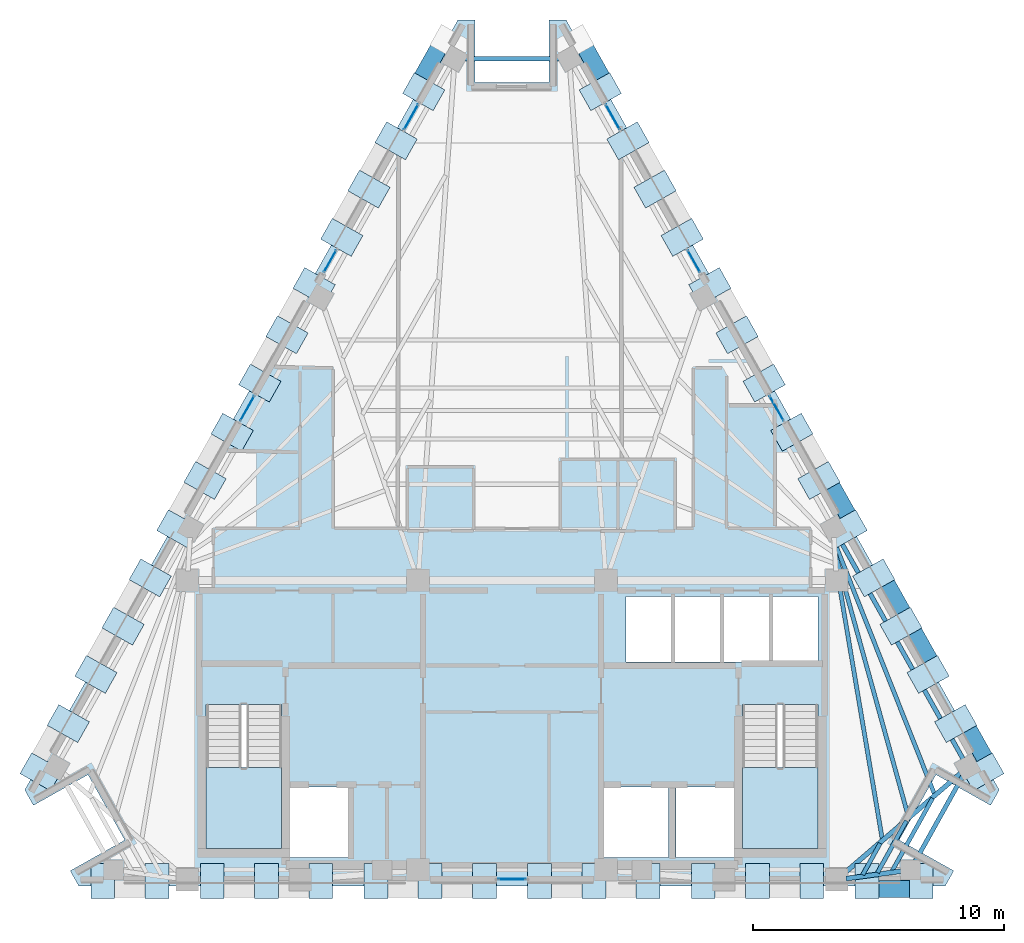
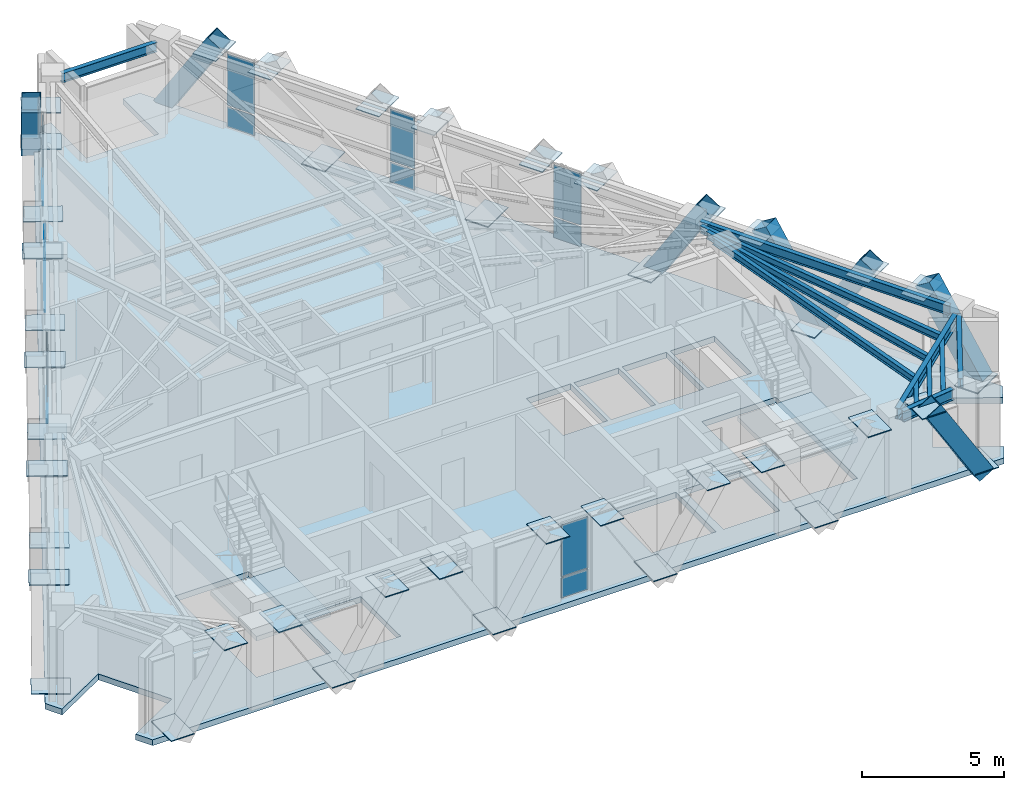
# One storey, part 4 of 9: 60 plates, 11 beams, 7 members, 3 slabs, 9 elements without a shape of their own.
"""IFC4 building model written with IfcOpenShell, lengths in metres."""

from ifc_helpers import new_model, si_unit, direction, frame, origin, origin_2d, place, context, subcontext, project, spatial, polyline, rectangle, hollow_rectangle, i_section, outline, extrude, material, layer, layer_set, material_profile, profile_set, type_object, element, aggregate, save


model = new_model("IFC4")

# Units and contexts
model_context = context("Model", 3, precision=1e-05, world=origin(), true_north=direction((0.0, 1.0)))
body_context = subcontext(model_context, "Body", "Model", "MODEL_VIEW")
ifc_project = project(units=[si_unit("LENGTHUNIT", "METRE"), si_unit("AREAUNIT", "SQUARE_METRE"), si_unit("VOLUMEUNIT", "CUBIC_METRE"), si_unit("PLANEANGLEUNIT", "RADIAN"), si_unit("MASSUNIT", "GRAM", prefix="KILO")], contexts=[model_context])

# Site, building, storey
site_placement = place(None, origin())
site = spatial("IfcSite", under=ifc_project, at=site_placement, CompositionType="ELEMENT")
building_placement = place(site_placement, origin())
building = spatial("IfcBuilding", under=site, at=building_placement, Name="Quenlor Broadcast Tower", CompositionType="ELEMENT")
storey_placement = place(building_placement, frame((0.0, 0.0, 239.39990234375)))
storey = spatial("IfcBuildingStorey", under=building, at=storey_placement, Name="L66", CompositionType="ELEMENT", Elevation=239.39990234375)

# Members
ifc_material_1 = material(Name="Steel S355", Category="steel")
ifc_material_profile_1 = material_profile(ifc_material_1, hollow_rectangle(XDim=0.679931640625, YDim=0.679931640625, WallThickness=0.02001953125, at=origin_2d()))
ifc_profile_set_1 = profile_set([ifc_material_profile_1], Name="Steel S355 RHS680x680x20")
member_type = type_object("IfcMemberType", Name="Perimeter Diagonal Lattice Brace Z5-Crown Steel S355 RHS680x20", PredefinedType="BRACE", material=ifc_profile_set_1)
member_placement = place(storey_placement, frame((16.31689453125, -17.1201171875, -0.119873046875), z_axis=(-0.523616565236, 0.0, 0.85195404372), x_axis=(0.0, -1.0, 0.0)))
element("IfcMember", 1, at=member_placement, inside=storey, type_object=member_type, Name="L66 Perimeter Diamond Lattice S-C1S", PredefinedType="BRACE", context=body_context, shape_type="SweptSolid", body=[
    extrude(hollow_rectangle(XDim=0.679931640625, YDim=0.679931640625, WallThickness=0.02001953125, at=origin_2d()), origin(), (0.0, 0.0, 1.0), 4.108154296875),
])
for number, where, z_axis, x_axis, name in (
    (2, (2.73681640625, 16.779296875, -0.119873046875), (0.260618804175, -0.463276364439, 0.847025884529), (0.8715547569, 0.490298180422, 0.0), "L66 Perimeter Diamond Lattice NE-C1S"),
    (3, (12.5458984375, -0.6591796875, -0.119873046875), (0.260618804175, -0.463276364439, 0.847025884529), (0.8715547569, 0.490298180422, 0.0), "L66 Perimeter Diamond Lattice NE-C4S"),
    (4, (15.802490234375, -6.44873046875, -0.119873046875), (-0.260563732169, 0.463283497491, 0.847038926161), (-0.871602253711, -0.49021374045, 0.0), "L66 Perimeter Diamond Lattice NE-C4B"),
    (5, (15.815673828125, -6.471923828125, -0.119873046875), (0.260618804175, -0.463276364439, 0.847025884529), (0.8715547569, 0.490298180422, 0.0), "L66 Perimeter Diamond Lattice NE-C5S"),
    (6, (19.072265625, -12.261474609375, -0.119873046875), (-0.260563732169, 0.463283497491, 0.847038926161), (-0.871602253711, -0.49021374045, 0.0), "L66 Perimeter Diamond Lattice NE-C5B"),
    (7, (-2.73681640625, 16.779296875, -0.119873046875), (-0.260618804175, -0.463276364439, 0.847025884529), (0.8715547569, -0.490298180422, 0.0), "L66 Perimeter Diamond Lattice NW-C5B"),
):
    element("IfcMember", number, at=place(storey_placement, frame(where, z_axis=z_axis, x_axis=x_axis)), inside=storey, type_object=member_type, Name=name, PredefinedType="BRACE", context=body_context, shape_type="SweptSolid", body=[
        extrude(hollow_rectangle(XDim=0.679931640625, YDim=0.679931640625, WallThickness=0.02001953125, at=origin_2d()), origin(), (0.0, 0.0, 1.0), 4.132080078125),
    ])

# Beams
ifc_material_2 = material(Name="Steel S355", Category="steel")
ifc_material_profile_2 = material_profile(ifc_material_2, i_section(OverallWidth=0.177978515625, OverallDepth=0.406494140625, WebThickness=0.0078125, FlangeThickness=0.0126953125, FilletRadius=0.011474609375, at=origin_2d()))
ifc_profile_set_2 = profile_set([ifc_material_profile_2], Name="Steel S355 410UB59.7")
beam_type_1 = type_object("IfcBeamType", Name="Perimeter Spandrel Beam Z5 Steel S355 410UB59.7", PredefinedType="SPANDREL", material=ifc_profile_set_2)
beam_1_placement = place(storey_placement, frame((16.07275390625, -16.035400390625, 3.046875), z_axis=(0.486800618374, 0.873513112638, 0.0), x_axis=(-0.873513112638, 0.486800618374, 0.0)))
element("IfcBeam", 8, at=beam_1_placement, inside=storey, type_object=beam_type_1, Name="L66 Spandrel Beam S4-NE1", PredefinedType="SPANDREL", context=body_context, shape_type="SweptSolid", body=[
    extrude(i_section(OverallWidth=0.177978515625, OverallDepth=0.406494140625, WebThickness=0.0078125, FlangeThickness=0.0126953125, FilletRadius=0.011474609375, at=origin_2d()), origin(), (0.0, 0.0, 1.0), 3.9736328125),
])
beam_2_placement = place(storey_placement, frame((18.005859375, -11.93603515625, 3.046875), z_axis=(-0.490274867878, 0.871567871096, 0.0), x_axis=(-0.871567871096, -0.490274867878, 0.0)))
element("IfcBeam", 9, at=beam_2_placement, inside=storey, type_object=beam_type_1, Name="L66 Spandrel Beam NE1-NE2", PredefinedType="SPANDREL", context=body_context, shape_type="SweptSolid", body=[
    extrude(i_section(OverallWidth=0.177978515625, OverallDepth=0.406494140625, WebThickness=0.0078125, FlangeThickness=0.0126953125, FilletRadius=0.011474609375, at=origin_2d()), origin(), (0.0, 0.0, 1.0), 10.206298828125),
])
beam_3_placement = place(storey_placement, frame((1.9248046875, 16.012451171875, 3.046875), z_axis=(-1.0, 0.0, 0.0), x_axis=(0.0, -1.0, 0.0)))
element("IfcBeam", 10, at=beam_3_placement, inside=storey, type_object=beam_type_1, Name="L66 Spandrel Beam NE4-NW1", PredefinedType="SPANDREL", context=body_context, shape_type="SweptSolid", body=[
    extrude(i_section(OverallWidth=0.177978515625, OverallDepth=0.406494140625, WebThickness=0.0078125, FlangeThickness=0.0126953125, FilletRadius=0.011474609375, at=origin_2d()), origin(), (0.0, 0.0, 1.0), 3.849609375),
])
ifc_material_3 = material(Name="Steel S355", Category="steel")
ifc_material_profile_3 = material_profile(ifc_material_3, i_section(OverallWidth=0.166015625, OverallDepth=0.30712890625, WebThickness=0.006591796875, FlangeThickness=0.01171875, FilletRadius=0.011474609375, at=origin_2d()))
ifc_profile_set_3 = profile_set([ifc_material_profile_3], Name="Steel S355 310UB46.2")
beam_type_2 = type_object("IfcBeamType", Name="Tower Composite Joist Z4-Z5 Steel S355 310UB46.2", PredefinedType="JOIST", material=ifc_profile_set_3)
beam_4_placement = place(storey_placement, frame((14.76806640625, -15.09619140625, 3.096435546875), z_axis=(-0.166553293246, 0.986032454085, 0.0), x_axis=(-0.986032454085, -0.166553293246, 0.0)))
element("IfcBeam", 11, at=beam_4_placement, inside=storey, type_object=beam_type_2, Name="L66 Secondary Composite Joist 16", PredefinedType="JOIST", context=body_context, shape_type="SweptSolid", body=[
    extrude(i_section(OverallWidth=0.166015625, OverallDepth=0.30712890625, WebThickness=0.006591796875, FlangeThickness=0.01171875, FilletRadius=0.011474609375, at=origin_2d()), origin(), (0.0, 0.0, 1.0), 11.097900390625),
])
beam_5_placement = place(storey_placement, frame((15.806396484375, -14.197998046875, 3.096435546875), z_axis=(-0.26744552871, 0.96357298072, 0.0), x_axis=(-0.96357298072, -0.26744552871, 0.0)))
element("IfcBeam", 12, at=beam_5_placement, inside=storey, type_object=beam_type_2, Name="L66 Secondary Composite Joist 17", PredefinedType="JOIST", context=body_context, shape_type="SweptSolid", body=[
    extrude(i_section(OverallWidth=0.166015625, OverallDepth=0.30712890625, WebThickness=0.006591796875, FlangeThickness=0.01171875, FilletRadius=0.011474609375, at=origin_2d()), origin(), (0.0, 0.0, 1.0), 10.856689453125),
])
beam_6_placement = place(storey_placement, frame((16.8447265625, -13.300537109375, 3.096435546875), z_axis=(-0.368680258049, 0.929556274426, 0.0), x_axis=(-0.929556274426, -0.368680258049, 0.0)))
element("IfcBeam", 13, at=beam_6_placement, inside=storey, type_object=beam_type_2, Name="L66 Secondary Composite Joist 18", PredefinedType="JOIST", context=body_context, shape_type="SweptSolid", body=[
    extrude(i_section(OverallWidth=0.166015625, OverallDepth=0.30712890625, WebThickness=0.006591796875, FlangeThickness=0.01171875, FilletRadius=0.011474609375, at=origin_2d()), origin(), (0.0, 0.0, 1.0), 10.737548828125),
])
beam_7_placement = place(storey_placement, frame((13.9912109375, -16.544189453125, 3.096435546875), z_axis=(0.486624304452, 0.873611347406, 0.0), x_axis=(-0.873611347406, 0.486624304452, 0.0)))
element("IfcBeam", 14, at=beam_7_placement, inside=storey, type_object=beam_type_2, Name="L66 Secondary Composite Joist 22", PredefinedType="JOIST", context=body_context, shape_type="SweptSolid", body=[
    extrude(i_section(OverallWidth=0.166015625, OverallDepth=0.30712890625, WebThickness=0.006591796875, FlangeThickness=0.01171875, FilletRadius=0.011474609375, at=origin_2d()), origin(), (0.0, 0.0, 1.0), 1.435791015625),
])
beam_8_placement = place(storey_placement, frame((14.58056640625, -16.464111328125, 3.096435546875), z_axis=(0.486820963037, 0.873501774439, 0.0), x_axis=(-0.873501774439, 0.486820963037, 0.0)))
element("IfcBeam", 15, at=beam_8_placement, inside=storey, type_object=beam_type_2, Name="L66 Secondary Composite Joist 23", PredefinedType="JOIST", context=body_context, shape_type="SweptSolid", body=[
    extrude(i_section(OverallWidth=0.166015625, OverallDepth=0.30712890625, WebThickness=0.006591796875, FlangeThickness=0.01171875, FilletRadius=0.011474609375, at=origin_2d()), origin(), (0.0, 0.0, 1.0), 2.37451171875),
])
beam_9_placement = place(storey_placement, frame((15.170166015625, -16.384033203125, 3.096435546875), z_axis=(0.486762404011, 0.873534408046, 0.0), x_axis=(-0.873534408046, 0.486762404011, 0.0)))
element("IfcBeam", 16, at=beam_9_placement, inside=storey, type_object=beam_type_2, Name="L66 Secondary Composite Joist 24", PredefinedType="JOIST", context=body_context, shape_type="SweptSolid", body=[
    extrude(i_section(OverallWidth=0.166015625, OverallDepth=0.30712890625, WebThickness=0.006591796875, FlangeThickness=0.01171875, FilletRadius=0.011474609375, at=origin_2d()), origin(), (0.0, 0.0, 1.0), 3.313232421875),
])
ifc_material_4 = material(Name="Steel S355", Category="steel")
ifc_material_profile_4 = material_profile(ifc_material_4, i_section(OverallWidth=0.19091796875, OverallDepth=0.46044921875, WebThickness=0.010009765625, FlangeThickness=0.01611328125, FilletRadius=0.011474609375, at=origin_2d()))
ifc_profile_set_4 = profile_set([ifc_material_profile_4], Name="Steel S355 460UB82.1")
beam_type_3 = type_object("IfcBeamType", Name="Tower Primary Floor Beam Z5 Steel S355 460UB82.1", PredefinedType="BEAM", material=ifc_profile_set_4)
beam_10_placement = place(storey_placement, frame((15.541015625, -16.3984375, 3.02001953125), z_axis=(-0.990917044125, -0.134474576267, 0.0), x_axis=(0.134474576267, -0.990917044125, 0.0)))
element("IfcBeam", 17, at=beam_10_placement, inside=storey, type_object=beam_type_3, Name="L66 Primary Radial Beam S4", PredefinedType="BEAM", context=body_context, shape_type="SweptSolid", body=[
    extrude(i_section(OverallWidth=0.19091796875, OverallDepth=0.46044921875, WebThickness=0.010009765625, FlangeThickness=0.01611328125, FilletRadius=0.011474609375, at=origin_2d()), origin(), (0.0, 0.0, 1.0), 2.23486328125),
])
beam_11_placement = place(storey_placement, frame((17.909423828125, -12.484619140625, 3.02001953125), z_axis=(-0.75817030855, -0.652056579779, 0.0), x_axis=(0.652056579779, -0.75817030855, 0.0)))
element("IfcBeam", 18, at=beam_11_placement, inside=storey, type_object=beam_type_3, Name="L66 Primary Radial Beam NE1", PredefinedType="BEAM", context=body_context, shape_type="SweptSolid", body=[
    extrude(i_section(OverallWidth=0.19091796875, OverallDepth=0.46044921875, WebThickness=0.010009765625, FlangeThickness=0.01611328125, FilletRadius=0.011474609375, at=origin_2d()), origin(), (0.0, 0.0, 1.0), 6.161376953125),
])

# Curtain wall, plates
ifc_material_5 = material(Name="Architectural Terracotta and Low-E Glazing", Category="masonry")
curtain_wall_type = type_object("IfcCurtainWallType", Name="Unitised Terracotta Curtain Wall System Z5", PredefinedType="NOTDEFINED", material=ifc_material_5)
curtain_wall_1_placement = place(storey_placement, origin())
curtain_wall_1 = element("IfcCurtainWall", 19, at=curtain_wall_1_placement, inside=storey, type_object=curtain_wall_type, Name="L66 Curtain Wall CW5 (L66-S-G1)", PredefinedType="NOTDEFINED")
ifc_material_6 = material(Name="Double Glazed Low-E Solar Glass", Category="glass")
ifc_layer_1 = layer(ifc_material_6, 0.02587890625)
ifc_layer_set_1 = layer_set([ifc_layer_1], Name="CW5 Double Glazed Vision Panel 26")
plate_type_1 = type_object("IfcPlateType", Name="CW5 Double Glazed Vision Panel 26", PredefinedType="CURTAIN_PANEL", material=ifc_layer_set_1)
plate_1_placement = place(storey_placement, frame((0.0, -16.72509765625, 0.065185546875), z_axis=(0.0, 0.0, 1.0), x_axis=(-1.0, 0.0, 0.0)))
plate_1 = element("IfcPlate", 20, at=plate_1_placement, type_object=plate_type_1, Name="CW5 panel 1.1", PredefinedType="CURTAIN_PANEL", context=body_context, shape_type="SweptSolid", body=[
    extrude(rectangle(XDim=1.082763671875, YDim=0.02587890625, at=origin_2d()), origin(), (0.0, 0.0, 1.0), 0.8525390625),
])
plate_2_placement = place(storey_placement, frame((0.0, -16.72509765625, 0.982421875), z_axis=(0.0, 0.0, 1.0), x_axis=(-1.0, 0.0, 0.0)))
plate_2 = element("IfcPlate", 21, at=plate_2_placement, type_object=plate_type_1, Name="CW5 panel 1.2", PredefinedType="CURTAIN_PANEL", context=body_context, shape_type="SweptSolid", body=[
    extrude(rectangle(XDim=1.082763671875, YDim=0.02587890625, at=origin_2d()), origin(), (0.0, 0.0, 1.0), 2.202392578125),
])
aggregate(curtain_wall_1, [plate_1, plate_2])

curtain_wall_2_placement = place(storey_placement, origin())
curtain_wall_2 = element("IfcCurtainWall", 22, at=curtain_wall_2_placement, inside=storey, type_object=curtain_wall_type, Name="L66 Curtain Wall CW5 (L66-NEA-G1)", PredefinedType="NOTDEFINED")
plate_3_placement = place(storey_placement, frame((4.02099609375, 13.69091796875, 0.065185546875), z_axis=(0.0, 0.0, 1.0), x_axis=(0.49029137745, -0.871558583916, 0.0)))
plate_3 = element("IfcPlate", 23, at=plate_3_placement, type_object=plate_type_1, Name="CW5 panel 1.1", PredefinedType="CURTAIN_PANEL", context=body_context, shape_type="SweptSolid", body=[
    extrude(rectangle(XDim=1.13037109375, YDim=0.02587890625, at=origin_2d()), origin(), (0.0, 0.0, 1.0), 0.8525390625),
])
plate_4_placement = place(storey_placement, frame((4.02099609375, 13.69091796875, 0.982421875), z_axis=(0.0, 0.0, 1.0), x_axis=(0.49029137745, -0.871558583916, 0.0)))
plate_4 = element("IfcPlate", 24, at=plate_4_placement, type_object=plate_type_1, Name="CW5 panel 1.2", PredefinedType="CURTAIN_PANEL", context=body_context, shape_type="SweptSolid", body=[
    extrude(rectangle(XDim=1.13037109375, YDim=0.02587890625, at=origin_2d()), origin(), (0.0, 0.0, 1.0), 2.202392578125),
])
aggregate(curtain_wall_2, [plate_3, plate_4])

curtain_wall_3_placement = place(storey_placement, origin())
curtain_wall_3 = element("IfcCurtainWall", 25, at=curtain_wall_3_placement, inside=storey, type_object=curtain_wall_type, Name="L66 Curtain Wall CW5 (L66-NEA-G2)", PredefinedType="NOTDEFINED")
plate_5_placement = place(storey_placement, frame((7.258056640625, 7.935791015625, 0.065185546875), z_axis=(0.0, 0.0, 1.0), x_axis=(0.490282293669, -0.871563693894, 0.0)))
plate_5 = element("IfcPlate", 26, at=plate_5_placement, type_object=plate_type_1, Name="CW5 panel 1.1", PredefinedType="CURTAIN_PANEL", context=body_context, shape_type="SweptSolid", body=[
    extrude(rectangle(XDim=0.99755859375, YDim=0.02587890625, at=origin_2d()), origin(), (0.0, 0.0, 1.0), 0.8525390625),
])
plate_6_placement = place(storey_placement, frame((7.258056640625, 7.935791015625, 0.982421875), z_axis=(0.0, 0.0, 1.0), x_axis=(0.490282293669, -0.871563693894, 0.0)))
plate_6 = element("IfcPlate", 27, at=plate_6_placement, type_object=plate_type_1, Name="CW5 panel 1.2", PredefinedType="CURTAIN_PANEL", context=body_context, shape_type="SweptSolid", body=[
    extrude(rectangle(XDim=0.99755859375, YDim=0.02587890625, at=origin_2d()), origin(), (0.0, 0.0, 1.0), 2.202392578125),
])
aggregate(curtain_wall_3, [plate_5, plate_6])

curtain_wall_4_placement = place(storey_placement, origin())
curtain_wall_4 = element("IfcCurtainWall", 28, at=curtain_wall_4_placement, inside=storey, type_object=curtain_wall_type, Name="L66 Curtain Wall CW5 (L66-NE-G1)", PredefinedType="NOTDEFINED")
plate_7_placement = place(storey_placement, frame((10.560302734375, 2.065185546875, 0.065185546875), z_axis=(0.0, 0.0, 1.0), x_axis=(0.490231100048, -0.871592489955, 0.0)))
plate_7 = element("IfcPlate", 29, at=plate_7_placement, type_object=plate_type_1, Name="CW5 panel 1.1", PredefinedType="CURTAIN_PANEL", context=body_context, shape_type="SweptSolid", body=[
    extrude(rectangle(XDim=1.130126953125, YDim=0.02587890625, at=origin_2d()), origin(), (0.0, 0.0, 1.0), 0.8525390625),
])
plate_8_placement = place(storey_placement, frame((10.560302734375, 2.065185546875, 0.982421875), z_axis=(0.0, 0.0, 1.0), x_axis=(0.490231100048, -0.871592489955, 0.0)))
plate_8 = element("IfcPlate", 30, at=plate_8_placement, type_object=plate_type_1, Name="CW5 panel 1.2", PredefinedType="CURTAIN_PANEL", context=body_context, shape_type="SweptSolid", body=[
    extrude(rectangle(XDim=1.130126953125, YDim=0.02587890625, at=origin_2d()), origin(), (0.0, 0.0, 1.0), 2.202392578125),
])
aggregate(curtain_wall_4, [plate_7, plate_8])

curtain_wall_5_placement = place(storey_placement, origin())
curtain_wall_5 = element("IfcCurtainWall", 31, at=curtain_wall_5_placement, inside=storey, type_object=curtain_wall_type, Name="L66 Curtain Wall CW5 (L66-NWC-G1)", PredefinedType="NOTDEFINED")
plate_9_placement = place(storey_placement, frame((-7.258056640625, 7.935791015625, 0.065185546875), z_axis=(0.0, 0.0, 1.0), x_axis=(0.490282293669, 0.871563693894, 0.0)))
plate_9 = element("IfcPlate", 32, at=plate_9_placement, type_object=plate_type_1, Name="CW5 panel 1.1", PredefinedType="CURTAIN_PANEL", context=body_context, shape_type="SweptSolid", body=[
    extrude(rectangle(XDim=0.99755859375, YDim=0.02587890625, at=origin_2d()), origin(), (0.0, 0.0, 1.0), 0.8525390625),
])
plate_10_placement = place(storey_placement, frame((-7.258056640625, 7.935791015625, 0.982421875), z_axis=(0.0, 0.0, 1.0), x_axis=(0.490282293669, 0.871563693894, 0.0)))
plate_10 = element("IfcPlate", 33, at=plate_10_placement, type_object=plate_type_1, Name="CW5 panel 1.2", PredefinedType="CURTAIN_PANEL", context=body_context, shape_type="SweptSolid", body=[
    extrude(rectangle(XDim=0.99755859375, YDim=0.02587890625, at=origin_2d()), origin(), (0.0, 0.0, 1.0), 2.202392578125),
])
aggregate(curtain_wall_5, [plate_9, plate_10])

curtain_wall_6_placement = place(storey_placement, origin())
curtain_wall_6 = element("IfcCurtainWall", 34, at=curtain_wall_6_placement, inside=storey, type_object=curtain_wall_type, Name="L66 Curtain Wall CW5 (L66-NWC-G2)", PredefinedType="NOTDEFINED")
plate_11_placement = place(storey_placement, frame((-4.02099609375, 13.69091796875, 0.065185546875), z_axis=(0.0, 0.0, 1.0), x_axis=(0.49029137745, 0.871558583916, 0.0)))
plate_11 = element("IfcPlate", 35, at=plate_11_placement, type_object=plate_type_1, Name="CW5 panel 1.1", PredefinedType="CURTAIN_PANEL", context=body_context, shape_type="SweptSolid", body=[
    extrude(rectangle(XDim=1.13037109375, YDim=0.02587890625, at=origin_2d()), origin(), (0.0, 0.0, 1.0), 0.8525390625),
])
plate_12_placement = place(storey_placement, frame((-4.02099609375, 13.69091796875, 0.982421875), z_axis=(0.0, 0.0, 1.0), x_axis=(0.49029137745, 0.871558583916, 0.0)))
plate_12 = element("IfcPlate", 36, at=plate_12_placement, type_object=plate_type_1, Name="CW5 panel 1.2", PredefinedType="CURTAIN_PANEL", context=body_context, shape_type="SweptSolid", body=[
    extrude(rectangle(XDim=1.13037109375, YDim=0.02587890625, at=origin_2d()), origin(), (0.0, 0.0, 1.0), 2.202392578125),
])
aggregate(curtain_wall_6, [plate_11, plate_12])

curtain_wall_7_placement = place(storey_placement, origin())
curtain_wall_7 = element("IfcCurtainWall", 37, at=curtain_wall_7_placement, inside=storey, type_object=curtain_wall_type, Name="L66 Curtain Wall CW5 (L66-NW-G1)", PredefinedType="NOTDEFINED")
plate_13_placement = place(storey_placement, frame((-10.560302734375, 2.065185546875, 0.065185546875), z_axis=(0.0, 0.0, 1.0), x_axis=(0.490231100048, 0.871592489955, 0.0)))
plate_13 = element("IfcPlate", 38, at=plate_13_placement, type_object=plate_type_1, Name="CW5 panel 1.1", PredefinedType="CURTAIN_PANEL", context=body_context, shape_type="SweptSolid", body=[
    extrude(rectangle(XDim=1.130126953125, YDim=0.02587890625, at=origin_2d()), origin(), (0.0, 0.0, 1.0), 0.8525390625),
])
plate_14_placement = place(storey_placement, frame((-10.560302734375, 2.065185546875, 0.982421875), z_axis=(0.0, 0.0, 1.0), x_axis=(0.490231100048, 0.871592489955, 0.0)))
plate_14 = element("IfcPlate", 39, at=plate_14_placement, type_object=plate_type_1, Name="CW5 panel 1.2", PredefinedType="CURTAIN_PANEL", context=body_context, shape_type="SweptSolid", body=[
    extrude(rectangle(XDim=1.130126953125, YDim=0.02587890625, at=origin_2d()), origin(), (0.0, 0.0, 1.0), 2.202392578125),
])
aggregate(curtain_wall_7, [plate_13, plate_14])

# Stair, slab
ifc_material_7 = material(Name="Precast concrete C40/50", Category="concrete")
stair_type = type_object("IfcStairType", Name="Precast Concrete C40/50 Dogleg Stair H350", PredefinedType="HALF_TURN_STAIR", material=ifc_material_7)
stair_1_placement = place(storey_placement, origin())
stair_1 = element("IfcStair", 40, at=stair_1_placement, inside=storey, type_object=stair_type, Name="L66 West Core Fire-Isolated Exit Stair ST-1", PredefinedType="HALF_TURN_STAIR")
ifc_material_8 = material(Name="Precast concrete C40/50", Category="concrete")
ifc_layer_2 = layer(ifc_material_8, 0.199951171875)
ifc_layer_set_2 = layer_set([ifc_layer_2], Name="Precast Concrete C40/50 Stair Landing Slab 200")
slab_type_1 = type_object("IfcSlabType", Name="Precast Concrete C40/50 Stair Landing Slab 200", PredefinedType="LANDING", material=ifc_layer_set_2)
slab_1_placement = place(storey_placement, frame((0.0, 0.0, 1.550048828125)))
slab_1 = element("IfcSlab", 41, at=slab_1_placement, type_object=slab_type_1, Name="ST-1 landing 1", PredefinedType="LANDING", context=body_context, shape_type="SweptSolid", body=[
    extrude(outline(polyline([(-12.199951171875, -12.27001953125), (-12.199951171875, -15.5), (-9.199951171875, -15.5), (-9.199951171875, -12.27001953125), (-12.199951171875, -12.27001953125)])), origin(), (0.0, 0.0, 1.0), 0.199951171875),
])
aggregate(stair_1, [slab_1])

stair_2_placement = place(storey_placement, origin())
stair_2 = element("IfcStair", 42, at=stair_2_placement, inside=storey, type_object=stair_type, Name="L66 East Core Fire-Isolated Exit Stair ST-2", PredefinedType="HALF_TURN_STAIR")
slab_2_placement = place(storey_placement, frame((0.0, 0.0, 1.550048828125)))
slab_2 = element("IfcSlab", 43, at=slab_2_placement, type_object=slab_type_1, Name="ST-2 landing 1", PredefinedType="LANDING", context=body_context, shape_type="SweptSolid", body=[
    extrude(outline(polyline([(9.199951171875, -12.27001953125), (9.199951171875, -15.5), (12.199951171875, -15.5), (12.199951171875, -12.27001953125), (9.199951171875, -12.27001953125)])), origin(), (0.0, 0.0, 1.0), 0.199951171875),
])
aggregate(stair_2, [slab_2])

# Slab
ifc_material_9 = material(Name="Concrete C40/50", Category="concrete")
ifc_layer_3 = layer(ifc_material_9, 0.25)
ifc_layer_set_3 = layer_set([ifc_layer_3], Name="Tower Composite Concrete C40/50 Slab 250")
slab_type_2 = type_object("IfcSlabType", Name="Tower Composite Concrete C40/50 Slab 250", PredefinedType="FLOOR", material=ifc_layer_set_3)
slab_3_placement = place(storey_placement, frame((0.0, 0.0, -0.25)))
element("IfcSlab", 44, at=slab_3_placement, inside=storey, type_object=slab_type_2, Name="L66 Structural Floor Slab", PredefinedType="FLOOR", context=body_context, shape_type="SweptSolid", body=[
    extrude(outline(polyline([(17.280029296875, -17.0), (17.62548828125, -16.385498046875), (15.44677734375, -15.159912109375), (16.91552734375, -12.548583984375), (19.094482421875, -13.7744140625), (19.43994140625, -13.159912109375), (2.159912109375, 17.56005859375), (1.46875, 17.56005859375), (1.46875, 15.06005859375), (-1.46875, 15.06005859375), (-1.46875, 17.56005859375), (-2.159912109375, 17.56005859375), (-19.43994140625, -13.159912109375), (-19.094482421875, -13.7744140625), (-16.91552734375, -12.548583984375), (-15.44677734375, -15.159912109375), (-17.62548828125, -16.385498046875), (-17.280029296875, -17.0), (17.280029296875, -17.0)]), holes=[polyline([(-12.199951171875, -9.758056640625), (-12.199951171875, -15.5), (-9.199951171875, -15.5), (-9.199951171875, -9.758056640625), (-12.199951171875, -9.758056640625)]), polyline([(9.199951171875, -9.758056640625), (9.199951171875, -15.5), (12.199951171875, -15.5), (12.199951171875, -9.758056640625), (9.199951171875, -9.758056640625)]), polyline([(4.550048828125, -8.050048828125), (6.35009765625, -8.050048828125), (6.35009765625, -5.449951171875), (4.550048828125, -5.449951171875), (4.550048828125, -8.050048828125)]), polyline([(6.5, -8.050048828125), (8.300048828125, -8.050048828125), (8.300048828125, -5.449951171875), (6.5, -5.449951171875), (6.5, -8.050048828125)]), polyline([(8.449951171875, -8.050048828125), (10.25, -8.050048828125), (10.25, -5.449951171875), (8.449951171875, -5.449951171875), (8.449951171875, -8.050048828125)]), polyline([(10.39990234375, -8.050048828125), (12.199951171875, -8.050048828125), (12.199951171875, -5.449951171875), (10.39990234375, -5.449951171875), (10.39990234375, -8.050048828125)]), polyline([(-8.85009765625, -15.85009765625), (-6.550048828125, -15.85009765625), (-6.550048828125, -13.050048828125), (-8.85009765625, -13.050048828125), (-8.85009765625, -15.85009765625)]), polyline([(6.550048828125, -15.85009765625), (8.85009765625, -15.85009765625), (8.85009765625, -13.050048828125), (6.550048828125, -13.050048828125), (6.550048828125, -15.85009765625)]), polyline([(3.64990234375, -15.85009765625), (6.25, -15.85009765625), (6.25, -13.050048828125), (3.64990234375, -13.050048828125), (3.64990234375, -15.85009765625)])]), origin(), (0.0, 0.0, 1.0), 0.25),
])

# Plates
ifc_material_10 = material(Name="Steel S355", Category="steel")
ifc_layer_4 = layer(ifc_material_10, 0.035888671875)
ifc_layer_set_4 = layer_set([ifc_layer_4], Name="Transfer Truss Steel S355 Gusset Node Plate 1400x950x36")
plate_type_2 = type_object("IfcPlateType", Name="Transfer Truss Steel S355 Gusset Node Plate 1400x950x36", PredefinedType="SHEET", material=ifc_layer_set_4)
for number, where, z_axis, x_axis, name in (
    (45, (16.330078125, -16.784912109375, 0.0419921875), (0.0, 0.0, 1.0), (0.0, -1.0, 0.0), "L66 Lattice Tie Gusset Node S-B0"),
    (46, (14.165771484375, -16.784912109375, 3.18212890625), (0.0, 0.0, 1.0), (0.0, -1.0, 0.0), "L66 Lattice Tie Gusset Node S-T1"),
    (47, (9.798095703125, -16.784912109375, 0.0419921875), (0.0, 0.0, 1.0), (0.0, -1.0, 0.0), "L66 Lattice Tie Gusset Node S-B3"),
    (48, (11.96240234375, -16.784912109375, 3.18212890625), (0.0, 0.0, 1.0), (0.0, -1.0, 0.0), "L66 Lattice Tie Gusset Node S-T2"),
    (49, (7.6337890625, -16.784912109375, 3.18212890625), (0.0, 0.0, 1.0), (0.0, -1.0, 0.0), "L66 Lattice Tie Gusset Node S-T4"),
    (50, (3.26611328125, -16.784912109375, 0.0419921875), (0.0, 0.0, 1.0), (0.0, -1.0, 0.0), "L66 Lattice Tie Gusset Node S-B6"),
    (51, (5.430419921875, -16.784912109375, 3.18212890625), (0.0, 0.0, 1.0), (0.0, -1.0, 0.0), "L66 Lattice Tie Gusset Node S-T5"),
    (52, (1.101806640625, -16.784912109375, 3.18212890625), (0.0, 0.0, 1.0), (0.0, -1.0, 0.0), "L66 Lattice Tie Gusset Node S-T7"),
    (53, (-3.26611328125, -16.784912109375, 0.0419921875), (0.0, 0.0, 1.0), (0.0, -1.0, 0.0), "L66 Lattice Tie Gusset Node S-B9"),
    (54, (-1.101806640625, -16.784912109375, 3.18212890625), (0.0, 0.0, 1.0), (0.0, -1.0, 0.0), "L66 Lattice Tie Gusset Node S-T8"),
    (55, (-5.430419921875, -16.784912109375, 3.18212890625), (0.0, 0.0, 1.0), (0.0, -1.0, 0.0), "L66 Lattice Tie Gusset Node S-T10"),
    (56, (-9.798095703125, -16.784912109375, 0.0419921875), (0.0, 0.0, 1.0), (0.0, -1.0, 0.0), "L66 Lattice Tie Gusset Node S-B12"),
    (57, (-7.6337890625, -16.784912109375, 3.18212890625), (0.0, 0.0, 1.0), (0.0, -1.0, 0.0), "L66 Lattice Tie Gusset Node S-T11"),
    (58, (-11.96240234375, -16.784912109375, 3.18212890625), (0.0, 0.0, 1.0), (0.0, -1.0, 0.0), "L66 Lattice Tie Gusset Node S-T13"),
    (59, (-16.330078125, -16.784912109375, 0.0419921875), (0.0, 0.0, 1.0), (0.0, -1.0, 0.0), "L66 Lattice Tie Gusset Node S-B15"),
    (60, (-14.165771484375, -16.784912109375, 3.18212890625), (0.0, 0.0, 1.0), (0.0, -1.0, 0.0), "L66 Lattice Tie Gusset Node S-T14"),
    (61, (3.521728515625, 14.70068359375, 3.18212890625), (0.0, 0.0, 1.0), (0.871556314255, 0.490295412055, 0.0), "L66 Lattice Tie Gusset Node NE-T1"),
    (62, (5.7080078125, 10.813720703125, 0.0419921875), (0.0, 0.0, 1.0), (0.871556314255, 0.490295412055, 0.0), "L66 Lattice Tie Gusset Node NE-B3"),
    (63, (4.624755859375, 12.73974609375, 3.18212890625), (0.0, 0.0, 1.0), (0.871556314255, 0.490295412055, 0.0), "L66 Lattice Tie Gusset Node NE-T2"),
    (64, (6.79150390625, 8.8876953125, 3.18212890625), (0.0, 0.0, 1.0), (0.871556314255, 0.490295412055, 0.0), "L66 Lattice Tie Gusset Node NE-T4"),
    (65, (8.977783203125, 5.0009765625, 0.0419921875), (0.0, 0.0, 1.0), (0.871556314255, 0.490295412055, 0.0), "L66 Lattice Tie Gusset Node NE-B6"),
    (66, (7.894287109375, 6.927001953125, 3.18212890625), (0.0, 0.0, 1.0), (0.871556314255, 0.490295412055, 0.0), "L66 Lattice Tie Gusset Node NE-T5"),
    (67, (10.06103515625, 3.074951171875, 3.18212890625), (0.0, 0.0, 1.0), (0.871556314255, 0.490295412055, 0.0), "L66 Lattice Tie Gusset Node NE-T7"),
    (68, (12.247314453125, -0.811767578125, 0.0419921875), (0.0, 0.0, 1.0), (0.871556314255, 0.490295412055, 0.0), "L66 Lattice Tie Gusset Node NE-B9"),
    (69, (11.1640625, 1.1142578125, 3.18212890625), (0.0, 0.0, 1.0), (0.871556314255, 0.490295412055, 0.0), "L66 Lattice Tie Gusset Node NE-T8"),
    (70, (13.330810546875, -2.73779296875, 3.18212890625), (0.0, 0.0, 1.0), (0.871556314255, 0.490295412055, 0.0), "L66 Lattice Tie Gusset Node NE-T10"),
    (71, (15.51708984375, -6.62451171875, 0.0419921875), (0.0, 0.0, 1.0), (0.871556314255, 0.490295412055, 0.0), "L66 Lattice Tie Gusset Node NE-B12"),
    (72, (14.433837890625, -4.698486328125, 3.18212890625), (0.0, 0.0, 1.0), (0.871556314255, 0.490295412055, 0.0), "L66 Lattice Tie Gusset Node NE-T11"),
    (73, (16.6005859375, -8.550537109375, 3.18212890625), (0.0, 0.0, 1.0), (0.871556314255, 0.490295412055, 0.0), "L66 Lattice Tie Gusset Node NE-T13"),
    (74, (18.786865234375, -12.4375, 0.0419921875), (0.0, 0.0, 1.0), (0.871556314255, 0.490295412055, 0.0), "L66 Lattice Tie Gusset Node NE-B15"),
    (75, (17.70361328125, -10.511474609375, 3.18212890625), (0.0, 0.0, 1.0), (0.871556314255, 0.490295412055, 0.0), "L66 Lattice Tie Gusset Node NE-T14"),
    (76, (-18.786865234375, -12.4375, 0.0419921875), (0.0, 0.0, 1.0), (-0.871556314255, 0.490295412055, 0.0), "L66 Lattice Tie Gusset Node NW-B0"),
    (77, (-17.70361328125, -10.511474609375, 3.18212890625), (0.0, 0.0, 1.0), (-0.871556314255, 0.490295412055, 0.0), "L66 Lattice Tie Gusset Node NW-T1"),
    (78, (-15.51708984375, -6.62451171875, 0.0419921875), (0.0, 0.0, 1.0), (-0.871556314255, 0.490295412055, 0.0), "L66 Lattice Tie Gusset Node NW-B3"),
    (79, (-16.6005859375, -8.550537109375, 3.18212890625), (0.0, 0.0, 1.0), (-0.871556314255, 0.490295412055, 0.0), "L66 Lattice Tie Gusset Node NW-T2"),
    (80, (-14.433837890625, -4.698486328125, 3.18212890625), (0.0, 0.0, 1.0), (-0.871556314255, 0.490295412055, 0.0), "L66 Lattice Tie Gusset Node NW-T4"),
    (81, (-12.247314453125, -0.811767578125, 0.0419921875), (0.0, 0.0, 1.0), (-0.871556314255, 0.490295412055, 0.0), "L66 Lattice Tie Gusset Node NW-B6"),
    (82, (-13.330810546875, -2.73779296875, 3.18212890625), (0.0, 0.0, 1.0), (-0.871556314255, 0.490295412055, 0.0), "L66 Lattice Tie Gusset Node NW-T5"),
    (83, (-11.1640625, 1.1142578125, 3.18212890625), (0.0, 0.0, 1.0), (-0.871556314255, 0.490295412055, 0.0), "L66 Lattice Tie Gusset Node NW-T7"),
    (84, (-8.977783203125, 5.0009765625, 0.0419921875), (0.0, 0.0, 1.0), (-0.871556314255, 0.490295412055, 0.0), "L66 Lattice Tie Gusset Node NW-B9"),
    (85, (-10.06103515625, 3.074951171875, 3.18212890625), (0.0, 0.0, 1.0), (-0.871556314255, 0.490295412055, 0.0), "L66 Lattice Tie Gusset Node NW-T8"),
    (86, (-7.894287109375, 6.927001953125, 3.18212890625), (0.0, 0.0, 1.0), (-0.871556314255, 0.490295412055, 0.0), "L66 Lattice Tie Gusset Node NW-T10"),
    (87, (-5.7080078125, 10.813720703125, 0.0419921875), (0.0, 0.0, 1.0), (-0.871556314255, 0.490295412055, 0.0), "L66 Lattice Tie Gusset Node NW-B12"),
    (88, (-6.79150390625, 8.8876953125, 3.18212890625), (0.0, 0.0, 1.0), (-0.871556314255, 0.490295412055, 0.0), "L66 Lattice Tie Gusset Node NW-T11"),
    (89, (-4.624755859375, 12.73974609375, 3.18212890625), (0.0, 0.0, 1.0), (-0.871556314255, 0.490295412055, 0.0), "L66 Lattice Tie Gusset Node NW-T13"),
    (90, (-3.521728515625, 14.70068359375, 3.18212890625), (0.0, 0.0, 1.0), (-0.871556314255, 0.490295412055, 0.0), "L66 Lattice Tie Gusset Node NW-T14"),
):
    element("IfcPlate", number, at=place(storey_placement, frame(where, z_axis=z_axis, x_axis=x_axis)), inside=storey, type_object=plate_type_2, Name=name, PredefinedType="SHEET", context=body_context, shape_type="SweptSolid", body=[
        extrude(rectangle(XDim=1.39990234375, YDim=0.949951171875, at=origin_2d()), origin(), (0.0, 0.0, 1.0), 0.035888671875),
    ])

save(model, "model.ifc")
